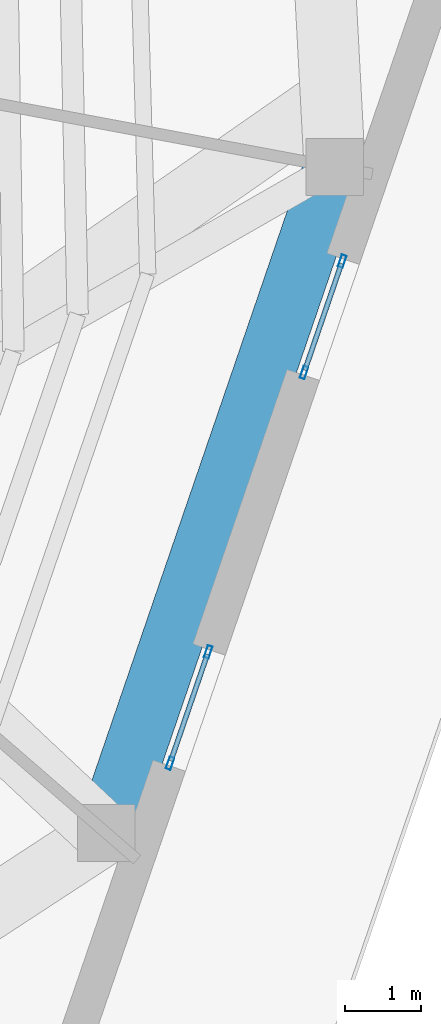
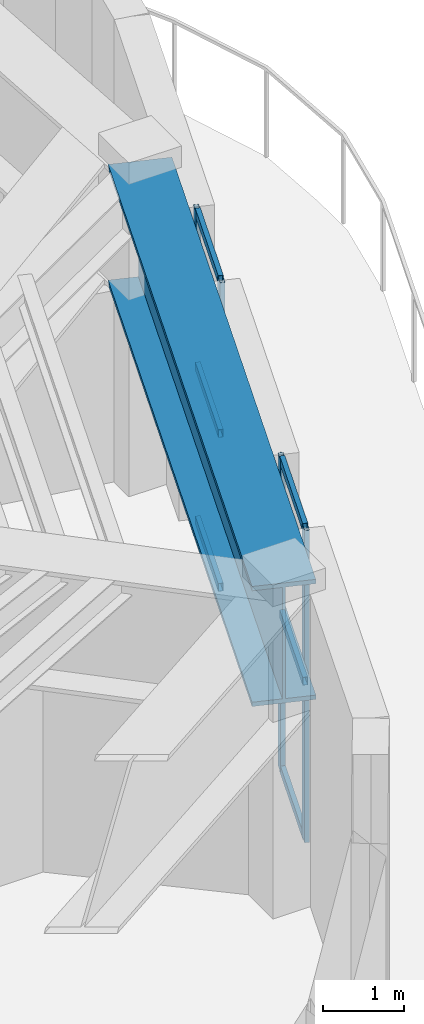
# One storey, part 12 of 24: 10 members, 1 beam, 2 elements without a shape of their own.
"""IFC4 building model written with IfcOpenShell, lengths in metres."""

from ifc_helpers import new_model, si_unit, direction, frame, origin, origin_2d, place, context, subcontext, project, spatial, hollow_rectangle, i_section, extrude, material, layer, layer_set, material_profile, profile_set, type_object, element, aggregate, save


model = new_model("IFC4")

# Units and contexts
model_context = context("Model", 3, precision=1e-05, world=origin(), true_north=direction((0.0, 1.0)))
body_context = subcontext(model_context, "Body", "Model", "MODEL_VIEW")
ifc_project = project(units=[si_unit("LENGTHUNIT", "METRE"), si_unit("AREAUNIT", "SQUARE_METRE"), si_unit("VOLUMEUNIT", "CUBIC_METRE"), si_unit("PLANEANGLEUNIT", "RADIAN"), si_unit("MASSUNIT", "GRAM", prefix="KILO")], contexts=[model_context])

# Site, building, storey
site_placement = place(None, origin())
site = spatial("IfcSite", under=ifc_project, at=site_placement, CompositionType="ELEMENT")
building_placement = place(site_placement, origin())
building = spatial("IfcBuilding", under=site, at=building_placement, Name="Kilnhurst Terrace Hotel", CompositionType="ELEMENT")
storey_placement = place(building_placement, frame((0.0, 0.0, 305.39990234375)))
storey = spatial("IfcBuildingStorey", under=building, at=storey_placement, Name="L76", CompositionType="ELEMENT", Elevation=305.39990234375)

# Curtain wall, members
ifc_material_1 = material(Name="Anodized Aluminium Alloy 6063-T6 and Low-E Glass", Category="aluminium")
ifc_layer = layer(ifc_material_1, 0.219970703125, Name="Anodized Aluminium Alloy 6063-T6 and Low-E Glass")
ifc_layer_set = layer_set([ifc_layer], Name="Anodized Aluminium Alloy 6063-T6 and Low-E Glass")
curtain_wall_type = type_object("IfcCurtainWallType", Name="CW-OBS-CROWN", PredefinedType="NOTDEFINED", material=ifc_layer_set)
curtain_wall_1_placement = place(storey_placement, origin())
curtain_wall_1 = element("IfcCurtainWall", 1, at=curtain_wall_1_placement, inside=storey, type_object=curtain_wall_type, Name="L76 Curtain Wall CW-L76-F2-1", PredefinedType="NOTDEFINED")
ifc_material_2 = material(Name="Extruded Aluminium Alloy 6063-T6", Category="aluminium")
ifc_material_profile_1 = material_profile(ifc_material_2, hollow_rectangle(XDim=0.06494140625, YDim=0.1650390625, WallThickness=0.00341796875, at=origin_2d()), Name="CWM65X165")
ifc_profile_set_1 = profile_set([ifc_material_profile_1], Name="Extruded Aluminium Alloy 6063-T6")
member_type_1 = type_object("IfcMemberType", Name="MEM-CWM65X165", PredefinedType="MULLION", material=ifc_profile_set_1)
member_1_placement = place(storey_placement, frame((14.487548828125, -10.919921875, 0.0), z_axis=(0.0, 0.0, 1.0), x_axis=(-0.945886945462, 0.324496358075, 0.0)))
member_1 = element("IfcMember", 2, at=member_1_placement, type_object=member_type_1, Name="CWO-6 mullion 1", PredefinedType="MULLION", context=body_context, shape_type="SweptSolid", body=[
    extrude(hollow_rectangle(XDim=0.06494140625, YDim=0.1650390625, WallThickness=0.00341796875, at=origin_2d()), origin(), (0.0, 0.0, 1.0), 4.68017578125),
])
member_2_placement = place(storey_placement, frame((14.987060546875, -9.463134765625, 0.0), z_axis=(0.0, 0.0, 1.0), x_axis=(-0.945886945462, 0.324496358075, 0.0)))
member_2 = element("IfcMember", 3, at=member_2_placement, type_object=member_type_1, Name="CWO-6 mullion 2", PredefinedType="MULLION", context=body_context, shape_type="SweptSolid", body=[
    extrude(hollow_rectangle(XDim=0.06494140625, YDim=0.1650390625, WallThickness=0.00341796875, at=origin_2d()), origin(), (0.0, 0.0, 1.0), 4.68017578125),
])

curtain_wall_2_placement = place(storey_placement, origin())
curtain_wall_2 = element("IfcCurtainWall", 4, at=curtain_wall_2_placement, inside=storey, type_object=curtain_wall_type, Name="L76 Curtain Wall CW-L76-F2-2", PredefinedType="NOTDEFINED")
member_3_placement = place(storey_placement, frame((16.241455078125, -5.807373046875, 0.0), z_axis=(0.0, 0.0, 1.0), x_axis=(-0.945886945462, 0.324496358075, 0.0)))
member_3 = element("IfcMember", 5, at=member_3_placement, type_object=member_type_1, Name="CWO-6 mullion 1", PredefinedType="MULLION", context=body_context, shape_type="SweptSolid", body=[
    extrude(hollow_rectangle(XDim=0.06494140625, YDim=0.1650390625, WallThickness=0.00341796875, at=origin_2d()), origin(), (0.0, 0.0, 1.0), 4.68017578125),
])
member_4_placement = place(storey_placement, frame((16.7412109375, -4.350830078125, 0.0), z_axis=(0.0, 0.0, 1.0), x_axis=(-0.945886945462, 0.324496358075, 0.0)))
member_4 = element("IfcMember", 6, at=member_4_placement, type_object=member_type_1, Name="CWO-6 mullion 2", PredefinedType="MULLION", context=body_context, shape_type="SweptSolid", body=[
    extrude(hollow_rectangle(XDim=0.06494140625, YDim=0.1650390625, WallThickness=0.00341796875, at=origin_2d()), origin(), (0.0, 0.0, 1.0), 4.68017578125),
])

# Member
ifc_material_profile_2 = material_profile(ifc_material_2, hollow_rectangle(XDim=0.06494140625, YDim=0.1201171875, WallThickness=0.00341796875, at=origin_2d()), Name="CWT65X120")
ifc_profile_set_2 = profile_set([ifc_material_profile_2], Name="Extruded Aluminium Alloy 6063-T6")
member_type_2 = type_object("IfcMemberType", Name="MEM-CWT65X120", PredefinedType="USERDEFINED", material=ifc_profile_set_2)
member_5_placement = place(storey_placement, frame((14.498046875, -10.88916015625, 0.03271484375), z_axis=(0.324408954393, 0.945916925692, 0.0), x_axis=(-0.945916925692, 0.324408954393, 0.0)))
member_5 = element("IfcMember", 7, at=member_5_placement, type_object=member_type_2, Name="CWO-6 transom 1.1", ObjectType="TRANSOM", PredefinedType="USERDEFINED", context=body_context, shape_type="SweptSolid", body=[
    extrude(hollow_rectangle(XDim=0.06494140625, YDim=0.1201171875, WallThickness=0.00341796875, at=origin_2d()), origin(), (0.0, 0.0, 1.0), 1.47509765625),
])

member_6_placement = place(storey_placement, frame((14.498046875, -10.88916015625, 2.340087890625), z_axis=(0.324408954393, 0.945916925692, 0.0), x_axis=(-0.945916925692, 0.324408954393, 0.0)))
member_6 = element("IfcMember", 8, at=member_6_placement, type_object=member_type_2, Name="CWO-6 transom 1.2", ObjectType="TRANSOM", PredefinedType="USERDEFINED", context=body_context, shape_type="SweptSolid", body=[
    extrude(hollow_rectangle(XDim=0.06494140625, YDim=0.1201171875, WallThickness=0.00341796875, at=origin_2d()), origin(), (0.0, 0.0, 1.0), 1.47509765625),
])

member_7_placement = place(storey_placement, frame((14.498046875, -10.88916015625, 4.647705078125), z_axis=(0.324408954393, 0.945916925692, 0.0), x_axis=(-0.945916925692, 0.324408954393, 0.0)))
member_7 = element("IfcMember", 9, at=member_7_placement, type_object=member_type_2, Name="CWO-6 transom 1.3", ObjectType="TRANSOM", PredefinedType="USERDEFINED", context=body_context, shape_type="SweptSolid", body=[
    extrude(hollow_rectangle(XDim=0.06494140625, YDim=0.1201171875, WallThickness=0.00341796875, at=origin_2d()), origin(), (0.0, 0.0, 1.0), 1.47509765625),
])

aggregate(curtain_wall_1, [member_1, member_2, member_5, member_6, member_7])

member_8_placement = place(storey_placement, frame((16.251953125, -5.776611328125, 0.03271484375), z_axis=(0.324607853994, 0.945848688282, 0.0), x_axis=(-0.945848688282, 0.324607853994, 0.0)))
member_8 = element("IfcMember", 10, at=member_8_placement, type_object=member_type_2, Name="CWO-6 transom 1.1", ObjectType="TRANSOM", PredefinedType="USERDEFINED", context=body_context, shape_type="SweptSolid", body=[
    extrude(hollow_rectangle(XDim=0.06494140625, YDim=0.1201171875, WallThickness=0.00341796875, at=origin_2d()), origin(), (0.0, 0.0, 1.0), 1.474853515625),
])

member_9_placement = place(storey_placement, frame((16.251953125, -5.776611328125, 2.340087890625), z_axis=(0.324607853994, 0.945848688282, 0.0), x_axis=(-0.945848688282, 0.324607853994, 0.0)))
member_9 = element("IfcMember", 11, at=member_9_placement, type_object=member_type_2, Name="CWO-6 transom 1.2", ObjectType="TRANSOM", PredefinedType="USERDEFINED", context=body_context, shape_type="SweptSolid", body=[
    extrude(hollow_rectangle(XDim=0.06494140625, YDim=0.1201171875, WallThickness=0.00341796875, at=origin_2d()), origin(), (0.0, 0.0, 1.0), 1.474853515625),
])

member_10_placement = place(storey_placement, frame((16.251953125, -5.776611328125, 4.647705078125), z_axis=(0.324607853994, 0.945848688282, 0.0), x_axis=(-0.945848688282, 0.324607853994, 0.0)))
member_10 = element("IfcMember", 12, at=member_10_placement, type_object=member_type_2, Name="CWO-6 transom 1.3", ObjectType="TRANSOM", PredefinedType="USERDEFINED", context=body_context, shape_type="SweptSolid", body=[
    extrude(hollow_rectangle(XDim=0.06494140625, YDim=0.1201171875, WallThickness=0.00341796875, at=origin_2d()), origin(), (0.0, 0.0, 1.0), 1.474853515625),
])

aggregate(curtain_wall_2, [member_3, member_4, member_8, member_9, member_10])

# Beam
ifc_material_3 = material(Name="Steel ASTM A572 Grade 50", Category="steel")
ifc_material_profile_3 = material_profile(ifc_material_3, i_section(OverallWidth=0.800048828125, OverallDepth=1.800048828125, WebThickness=0.0400390625, FlangeThickness=0.06494140625, at=origin_2d()), Name="PG1800X800")
ifc_profile_set_3 = profile_set([ifc_material_profile_3], Name="Steel ASTM A572 Grade 50")
beam_type = type_object("IfcBeamType", Name="TG-STEP-1800", PredefinedType="USERDEFINED", material=ifc_profile_set_3)
beam_placement = place(storey_placement, frame((13.652099609375, -11.8310546875, 3.780029296875), z_axis=(0.324517451978, 0.945879708717, 0.0), x_axis=(-0.945879708717, 0.324517451978, 0.0)))
element("IfcBeam", 13, at=beam_placement, inside=storey, type_object=beam_type, Name="L76 Zone Step Perimeter Transfer Girder 3", ObjectType="GIRDER", PredefinedType="USERDEFINED", context=body_context, shape_type="SweptSolid", body=[
    extrude(i_section(OverallWidth=0.800048828125, OverallDepth=1.800048828125, WebThickness=0.0400390625, FlangeThickness=0.06494140625, at=origin_2d()), origin(), (0.0, 0.0, 1.0), 9.210693359375),
])

save(model, "model.ifc")
